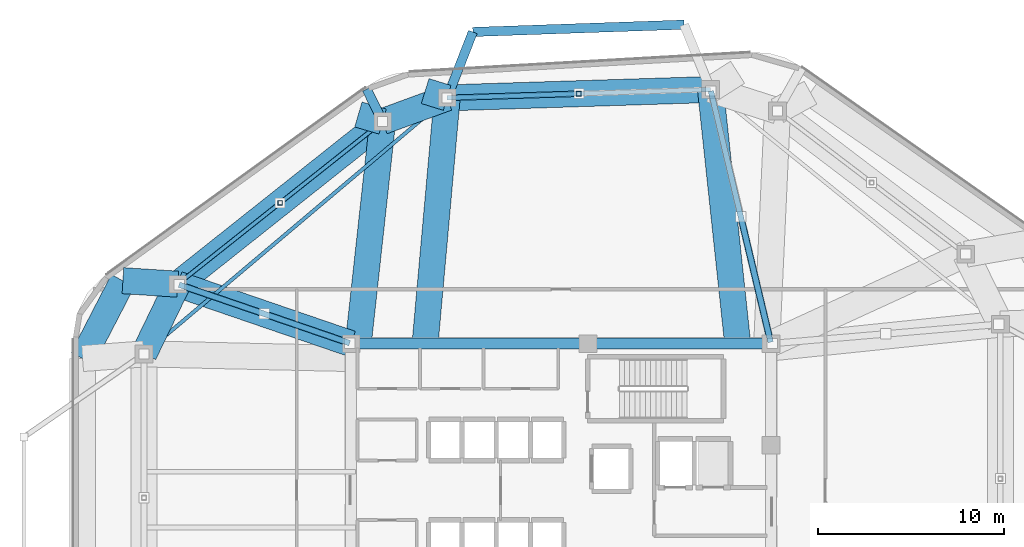
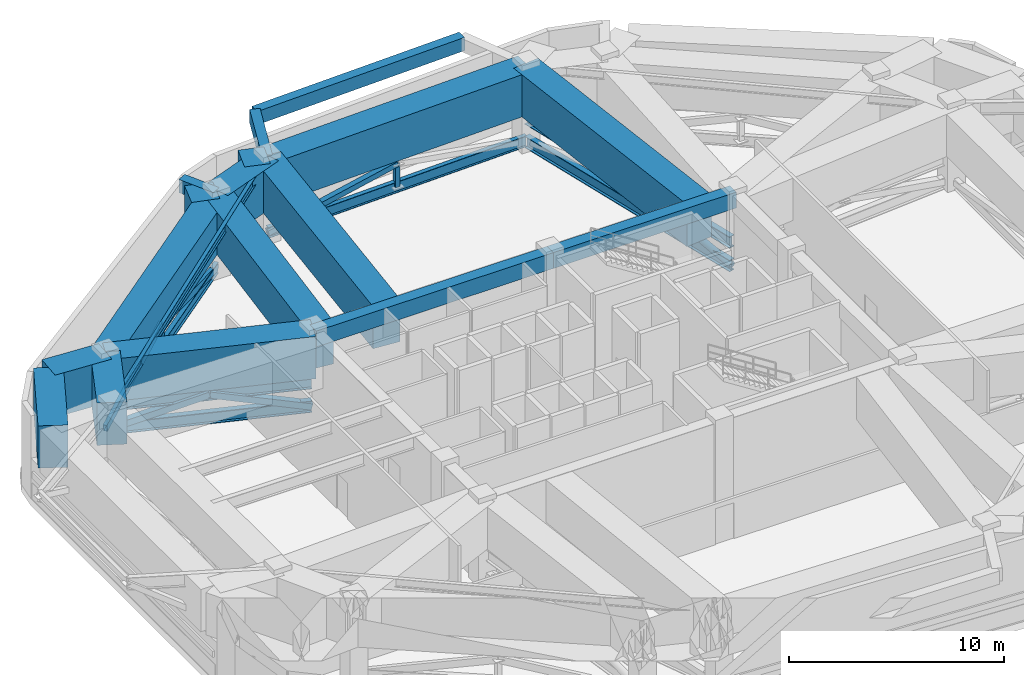
# One storey, part 5 of 13: 18 beams, 14 members.
"""IFC4 building model written with IfcOpenShell, lengths in metres."""

from ifc_helpers import new_model, si_unit, direction, frame, origin, origin_2d, place, context, subcontext, project, spatial, rectangle, hollow_rectangle, hollow_circle, i_section, extrude, material, material_profile, profile_set, type_object, element, save


model = new_model("IFC4")

# Units and contexts
model_context = context("Model", 3, precision=1e-05, world=origin(), true_north=direction((0.0, 1.0)))
body_context = subcontext(model_context, "Body", "Model", "MODEL_VIEW")
ifc_project = project(units=[si_unit("LENGTHUNIT", "METRE"), si_unit("AREAUNIT", "SQUARE_METRE"), si_unit("VOLUMEUNIT", "CUBIC_METRE"), si_unit("PLANEANGLEUNIT", "RADIAN"), si_unit("MASSUNIT", "GRAM", prefix="KILO")], contexts=[model_context])

# Site, building, storey
site_placement = place(None, origin())
site = spatial("IfcSite", under=ifc_project, at=site_placement, CompositionType="ELEMENT")
building_placement = place(site_placement, origin())
building = spatial("IfcBuilding", under=site, at=building_placement, Name="Zulverin Broadcast Headquarters", CompositionType="ELEMENT")
storey_placement = place(building_placement, frame((0.0, 0.0, 220.0)))
storey = spatial("IfcBuildingStorey", under=building, at=storey_placement, Name="L56", CompositionType="ELEMENT", Elevation=220.0)

# Beams
ifc_material_1 = material(Name="Concrete C60/75", Category="concrete")
ifc_material_profile_1 = material_profile(ifc_material_1, rectangle(XDim=0.60009765625, YDim=0.89990234375, at=origin_2d()), Name="Concrete C60/75", Category="concrete")
ifc_profile_set_1 = profile_set([ifc_material_profile_1], Name="Concrete C60/75")
beam_type_1 = type_object("IfcBeamType", Name="BM-CB-600x900", PredefinedType="LINTEL", material=ifc_profile_set_1)
beam_1_placement = place(storey_placement, frame((48.27490234375, 33.074951171875, 4.260009765625), z_axis=(-1.0, 0.0, 0.0), x_axis=(0.0, -1.0, 0.0)))
element("IfcBeam", 1, at=beam_1_placement, inside=storey, type_object=beam_type_1, Name="L56 Core Coupling Girder K05-K06", PredefinedType="LINTEL", context=body_context, shape_type="SweptSolid", body=[
    extrude(rectangle(XDim=0.60009765625, YDim=0.89990234375, at=origin_2d()), origin(), (0.0, 0.0, 1.0), 9.824951171875),
])
beam_2_placement = place(storey_placement, frame((38.449951171875, 33.074951171875, 4.260009765625), z_axis=(-1.0, 0.0, 0.0), x_axis=(0.0, -1.0, 0.0)))
element("IfcBeam", 2, at=beam_2_placement, inside=storey, type_object=beam_type_1, Name="L56 Core Coupling Girder K06-K07", PredefinedType="LINTEL", context=body_context, shape_type="SweptSolid", body=[
    extrude(rectangle(XDim=0.60009765625, YDim=0.89990234375, at=origin_2d()), origin(), (0.0, 0.0, 1.0), 12.724853515625),
])
ifc_material_2 = material(Name="Concrete C40/50", Category="concrete")
ifc_material_profile_2 = material_profile(ifc_material_2, rectangle(XDim=0.5, YDim=0.75, at=origin_2d()), Name="Concrete C40/50", Category="concrete")
ifc_profile_set_2 = profile_set([ifc_material_profile_2], Name="Concrete C40/50")
beam_type_2 = type_object("IfcBeamType", Name="BM-RC-500x750", PredefinedType="BEAM", material=ifc_profile_set_2)
beam_3_placement = place(storey_placement, frame((27.416259765625, 45.00439453125, 4.3349609375), z_axis=(-0.440436509103, 0.897783760963, 0.0), x_axis=(-0.897783760963, -0.440436509103, 0.0)))
element("IfcBeam", 3, at=beam_3_placement, inside=storey, type_object=beam_type_2, Name="L57 Plate Overhang Back-Spanned Beam OVR-11", PredefinedType="BEAM", context=body_context, shape_type="SweptSolid", body=[
    extrude(rectangle(XDim=0.5, YDim=0.75, at=origin_2d()), origin(), (0.0, 0.0, 1.0), 1.9345703125),
])
beam_4_placement = place(storey_placement, frame((30.882080078125, 46.27490234375, 4.3349609375), z_axis=(0.36332352759, 0.931663036886, 0.0), x_axis=(-0.931663036886, 0.36332352759, 0.0)))
element("IfcBeam", 4, at=beam_4_placement, inside=storey, type_object=beam_type_2, Name="L57 Balcony Column-Framed Cantilever BAL_N-2", PredefinedType="BEAM", context=body_context, shape_type="SweptSolid", body=[
    extrude(rectangle(XDim=0.5, YDim=0.75, at=origin_2d()), origin(), (0.0, 0.0, 1.0), 3.800048828125),
])
beam_5_placement = place(storey_placement, frame((43.60791015625, 50.2080078125, 4.3349609375), z_axis=(-0.999401110816, -0.034603752686, 0.0), x_axis=(0.034603752686, -0.999401110816, 0.0)))
element("IfcBeam", 5, at=beam_5_placement, inside=storey, type_object=beam_type_2, Name="L57 Balcony Outer Edge Trimmer Beam BAL_N", PredefinedType="BEAM", context=body_context, shape_type="SweptSolid", body=[
    extrude(rectangle(XDim=0.5, YDim=0.75, at=origin_2d()), origin(), (0.0, 0.0, 1.0), 11.35205078125),
])
ifc_material_profile_3 = material_profile(ifc_material_1, rectangle(XDim=1.39990234375, YDim=2.39990234375, at=origin_2d()), Name="Concrete C60/75", Category="concrete")
ifc_profile_set_3 = profile_set([ifc_material_profile_3], Name="Concrete C60/75")
beam_type_3 = type_object("IfcBeamType", Name="BM-TG-1400x2400", PredefinedType="USERDEFINED", material=ifc_profile_set_3)
beam_6_placement = place(storey_placement, frame((45.027587890625, 46.7236328125, 3.510009765625), z_axis=(-0.999497221833, -0.031706522156, 0.0), x_axis=(0.031706522156, -0.999497221833, 0.0)))
element("IfcBeam", 6, at=beam_6_placement, inside=storey, type_object=beam_type_3, Name="L56 Perimeter Transfer Ring Girder SP-09", ObjectType="TRANSFER GIRDER", PredefinedType="USERDEFINED", context=body_context, shape_type="SweptSolid", body=[
    extrude(rectangle(XDim=1.39990234375, YDim=2.39990234375, at=origin_2d()), origin(), (0.0, 0.0, 1.0), 14.152587890625),
])
beam_7_placement = place(storey_placement, frame((30.882080078125, 46.27490234375, 3.510009765625), z_axis=(-0.938901965426, -0.344184687805, 0.0), x_axis=(0.344184687805, -0.938901965426, 0.0)))
element("IfcBeam", 7, at=beam_7_placement, inside=storey, type_object=beam_type_3, Name="L56 Perimeter Transfer Ring Girder SP-10", ObjectType="TRANSFER GIRDER", PredefinedType="USERDEFINED", context=body_context, shape_type="SweptSolid", body=[
    extrude(rectangle(XDim=1.39990234375, YDim=2.39990234375, at=origin_2d()), origin(), (0.0, 0.0, 1.0), 3.69140625),
])
beam_8_placement = place(storey_placement, frame((27.416259765625, 45.00439453125, 3.510009765625), z_axis=(-0.783283263401, -0.621664965457, 0.0), x_axis=(0.621664965457, -0.783283263401, 0.0)))
element("IfcBeam", 8, at=beam_8_placement, inside=storey, type_object=beam_type_3, Name="L56 Perimeter Transfer Ring Girder SP-11", ObjectType="TRANSFER GIRDER", PredefinedType="USERDEFINED", context=body_context, shape_type="SweptSolid", body=[
    extrude(rectangle(XDim=1.39990234375, YDim=2.39990234375, at=origin_2d()), origin(), (0.0, 0.0, 1.0), 14.05322265625),
])
beam_9_placement = place(storey_placement, frame((16.40869140625, 36.26806640625, 3.510009765625), z_axis=(-0.434890248034, -0.900483465792, 0.0), x_axis=(0.900483465792, -0.434890248034, 0.0)))
element("IfcBeam", 9, at=beam_9_placement, inside=storey, type_object=beam_type_3, Name="L56 Perimeter Transfer Ring Girder SP-12", ObjectType="TRANSFER GIRDER", PredefinedType="USERDEFINED", context=body_context, shape_type="SweptSolid", body=[
    extrude(rectangle(XDim=1.39990234375, YDim=2.39990234375, at=origin_2d()), origin(), (0.0, 0.0, 1.0), 4.15869140625),
])
beam_10_placement = place(storey_placement, frame((46.4814453125, 33.125, 3.510009765625), z_axis=(-0.106306205343, 0.994333440404, 0.0), x_axis=(-0.994333440404, -0.106306205343, 0.0)))
element("IfcBeam", 10, at=beam_10_placement, inside=storey, type_object=beam_type_3, Name="L57 Inner Transfer Back-Span Girder TGI-09", ObjectType="TRANSFER GIRDER", PredefinedType="USERDEFINED", context=body_context, shape_type="SweptSolid", body=[
    extrude(rectangle(XDim=1.39990234375, YDim=2.39990234375, at=origin_2d()), origin(), (0.0, 0.0, 1.0), 13.676025390625),
])
beam_11_placement = place(storey_placement, frame((29.70068359375, 33.125, 3.510009765625), z_axis=(0.089480316195, 0.995988590805, 0.0), x_axis=(-0.995988590805, 0.089480316195, 0.0)))
element("IfcBeam", 11, at=beam_11_placement, inside=storey, type_object=beam_type_3, Name="L57 Inner Transfer Back-Span Girder TGI-10", ObjectType="TRANSFER GIRDER", PredefinedType="USERDEFINED", context=body_context, shape_type="SweptSolid", body=[
    extrude(rectangle(XDim=1.39990234375, YDim=2.39990234375, at=origin_2d()), origin(), (0.0, 0.0, 1.0), 13.202880859375),
])
beam_12_placement = place(storey_placement, frame((30.882080078125, 46.27490234375, 3.510009765625), z_axis=(-0.955162350337, 0.296082563651, 0.0), x_axis=(-0.296082563651, -0.955162350337, 0.0)))
element("IfcBeam", 12, at=beam_12_placement, inside=storey, type_object=beam_type_3, Name="L57 Column-Framed Step Cantilever Girder TGO-10", ObjectType="TRANSFER GIRDER", PredefinedType="USERDEFINED", context=body_context, shape_type="SweptSolid", body=[
    extrude(rectangle(XDim=1.39990234375, YDim=2.39990234375, at=origin_2d()), origin(), (0.0, 0.0, 1.0), 1.23681640625),
])
beam_13_placement = place(storey_placement, frame((26.11474609375, 33.125, 3.510009765625), z_axis=(0.10890891101, 0.994051733615, 0.0), x_axis=(-0.994051733615, 0.10890891101, 0.0)))
element("IfcBeam", 13, at=beam_13_placement, inside=storey, type_object=beam_type_3, Name="L57 Inner Transfer Back-Span Girder TGI-11", ObjectType="TRANSFER GIRDER", PredefinedType="USERDEFINED", context=body_context, shape_type="SweptSolid", body=[
    extrude(rectangle(XDim=1.39990234375, YDim=2.39990234375, at=origin_2d()), origin(), (0.0, 0.0, 1.0), 11.950439453125),
])
beam_14_placement = place(storey_placement, frame((27.416259765625, 45.00439453125, 3.510009765625), z_axis=(-0.960090717842, 0.279688779743, 0.0), x_axis=(-0.279688779743, -0.960090717842, 0.0)))
element("IfcBeam", 14, at=beam_14_placement, inside=storey, type_object=beam_type_3, Name="L57 Column-Framed Step Cantilever Girder TGO-11", ObjectType="TRANSFER GIRDER", PredefinedType="USERDEFINED", context=body_context, shape_type="SweptSolid", body=[
    extrude(rectangle(XDim=1.39990234375, YDim=2.39990234375, at=origin_2d()), origin(), (0.0, 0.0, 1.0), 1.355712890625),
])
beam_15_placement = place(storey_placement, frame((25.72509765625, 33.074951171875, 3.510009765625), z_axis=(-0.945979621685, 0.324226086793, 0.0), x_axis=(-0.324226086793, -0.945979621685, 0.0)))
element("IfcBeam", 15, at=beam_15_placement, inside=storey, type_object=beam_type_3, Name="L57 Inner Transfer Back-Span Girder TGI-12", ObjectType="TRANSFER GIRDER", PredefinedType="USERDEFINED", context=body_context, shape_type="SweptSolid", body=[
    extrude(rectangle(XDim=1.39990234375, YDim=2.39990234375, at=origin_2d()), origin(), (0.0, 0.0, 1.0), 9.848388671875),
])
beam_16_placement = place(storey_placement, frame((16.40869140625, 36.26806640625, 3.510009765625), z_axis=(-0.997926853683, 0.064358330454, 0.0), x_axis=(-0.064358330454, -0.997926853683, 0.0)))
element("IfcBeam", 16, at=beam_16_placement, inside=storey, type_object=beam_type_3, Name="L57 Column-Framed Step Cantilever Girder TGO-12", ObjectType="TRANSFER GIRDER", PredefinedType="USERDEFINED", context=body_context, shape_type="SweptSolid", body=[
    extrude(rectangle(XDim=1.39990234375, YDim=2.39990234375, at=origin_2d()), origin(), (0.0, 0.0, 1.0), 2.947509765625),
])
beam_17_placement = place(storey_placement, frame((13.46728515625, 36.457763671875, 3.510009765625), z_axis=(-0.460082658911, -0.887876087621, 0.0), x_axis=(0.887876087621, -0.460082658911, 0.0)))
element("IfcBeam", 17, at=beam_17_placement, inside=storey, type_object=beam_type_3, Name="L57 Step Transfer Ring Girder TGR-12", ObjectType="TRANSFER GIRDER", PredefinedType="USERDEFINED", context=body_context, shape_type="SweptSolid", body=[
    extrude(rectangle(XDim=1.39990234375, YDim=2.39990234375, at=origin_2d()), origin(), (0.0, 0.0, 1.0), 4.71044921875),
])
ifc_material_3 = material(Name="Structural steel S355JR", Category="steel")
ifc_material_profile_4 = material_profile(ifc_material_3, i_section(OverallWidth=0.19287109375, OverallDepth=0.46728515625, WebThickness=0.011474609375, FlangeThickness=0.01953125, at=origin_2d()), Name="Structural steel S355JR", Category="steel")
ifc_profile_set_4 = profile_set([ifc_material_profile_4], Name="Structural steel S355JR")
beam_type_4 = type_object("IfcBeamType", Name="BM-UB-457", PredefinedType="JOIST", material=ifc_profile_set_4)
beam_18_placement = place(storey_placement, frame((30.882080078125, 46.27490234375, 4.476318359375), z_axis=(-0.763972566446, -0.645248725468, 0.0), x_axis=(0.645248725468, -0.763972566446, 0.0)))
element("IfcBeam", 18, at=beam_18_placement, inside=storey, type_object=beam_type_4, Name="L56 Chordal Floor Joist J-03", PredefinedType="JOIST", context=body_context, shape_type="SweptSolid", body=[
    extrude(i_section(OverallWidth=0.19287109375, OverallDepth=0.46728515625, WebThickness=0.011474609375, FlangeThickness=0.01953125, at=origin_2d()), origin(), (0.0, 0.0, 1.0), 21.312255859375),
])

# Members
ifc_material_profile_5 = material_profile(ifc_material_3, i_section(OverallWidth=0.230224609375, OverallDepth=0.6171875, WebThickness=0.01318359375, FlangeThickness=0.022216796875, at=origin_2d()), Name="Structural steel S355JR", Category="steel")
ifc_profile_set_5 = profile_set([ifc_material_profile_5], Name="Structural steel S355JR")
member_type_1 = type_object("IfcMemberType", Name="MBR-BLT-CHORD", PredefinedType="CHORD", material=ifc_profile_set_5)
member_1_placement = place(storey_placement, frame((45.027587890625, 46.7236328125, 0.35009765625), z_axis=(-0.999497221833, -0.031706522156, 0.0), x_axis=(0.031706522156, -0.999497221833, 0.0)))
element("IfcMember", 19, at=member_1_placement, inside=storey, type_object=member_type_1, Name="L56 Belt Truss Bottom Chord BC-05", PredefinedType="CHORD", context=body_context, shape_type="SweptSolid", body=[
    extrude(i_section(OverallWidth=0.230224609375, OverallDepth=0.6171875, WebThickness=0.01318359375, FlangeThickness=0.022216796875, at=origin_2d()), origin(), (0.0, 0.0, 1.0), 14.152587890625),
])
member_2_placement = place(storey_placement, frame((27.416259765625, 45.00439453125, 0.35009765625), z_axis=(-0.783283263401, -0.621664965457, 0.0), x_axis=(0.621664965457, -0.783283263401, 0.0)))
element("IfcMember", 20, at=member_2_placement, inside=storey, type_object=member_type_1, Name="L56 Belt Truss Bottom Chord BC-06", PredefinedType="CHORD", context=body_context, shape_type="SweptSolid", body=[
    extrude(i_section(OverallWidth=0.230224609375, OverallDepth=0.6171875, WebThickness=0.01318359375, FlangeThickness=0.022216796875, at=origin_2d()), origin(), (0.0, 0.0, 1.0), 14.05322265625),
])
ifc_material_profile_6 = material_profile(ifc_material_3, hollow_rectangle(XDim=0.300048828125, YDim=0.300048828125, WallThickness=0.01611328125, at=origin_2d()), Name="Structural steel S355JR", Category="steel")
ifc_profile_set_6 = profile_set([ifc_material_profile_6], Name="Structural steel S355JR")
member_type_2 = type_object("IfcMemberType", Name="MBR-BLT-DIAG1", PredefinedType="BRACE", material=ifc_profile_set_6)
member_3_placement = place(storey_placement, frame((30.882080078125, 46.27490234375, 0.35009765625), z_axis=(0.982301862555, 0.031161042861, 0.184694450995), x_axis=(-0.031706522156, 0.999497221833, 0.0)))
element("IfcMember", 21, at=member_3_placement, inside=storey, type_object=member_type_2, Name="L56 Belt Truss Diagonal Brace BD-05B", PredefinedType="BRACE", context=body_context, shape_type="SweptSolid", body=[
    extrude(hollow_rectangle(XDim=0.300048828125, YDim=0.300048828125, WallThickness=0.01611328125, at=origin_2d()), origin(), (0.0, 0.0, 1.0), 7.2001953125),
])
ifc_material_profile_7 = material_profile(ifc_material_3, hollow_rectangle(XDim=0.199951171875, YDim=0.39990234375, WallThickness=0.01611328125, at=origin_2d()), Name="Structural steel S355JR", Category="steel")
ifc_profile_set_7 = profile_set([ifc_material_profile_7], Name="Structural steel S355JR")
member_type_3 = type_object("IfcMemberType", Name="MBR-BLT-DIAG2", PredefinedType="BRACE", material=ifc_profile_set_7)
member_4_placement = place(storey_placement, frame((27.416259765625, 45.00439453125, 0.35009765625), z_axis=(-0.769614156042, -0.610829813241, 0.185959646363), x_axis=(0.621673424997, -0.78327654928, 0.0)))
element("IfcMember", 22, at=member_4_placement, inside=storey, type_object=member_type_3, Name="L56 Belt Truss Diagonal Brace BD-06A", PredefinedType="BRACE", context=body_context, shape_type="SweptSolid", body=[
    extrude(hollow_rectangle(XDim=0.199951171875, YDim=0.39990234375, WallThickness=0.01611328125, at=origin_2d()), origin(), (0.0, 0.0, 1.0), 7.151123046875),
])
member_5_placement = place(storey_placement, frame((16.40869140625, 36.26806640625, 0.35009765625), z_axis=(0.769628074098, 0.610813764273, 0.185954760451), x_axis=(-0.621656506073, 0.783289977248, 0.0)))
element("IfcMember", 23, at=member_5_placement, inside=storey, type_object=member_type_3, Name="L56 Belt Truss Diagonal Brace BD-06B", PredefinedType="BRACE", context=body_context, shape_type="SweptSolid", body=[
    extrude(hollow_rectangle(XDim=0.199951171875, YDim=0.39990234375, WallThickness=0.01611328125, at=origin_2d()), origin(), (0.0, 0.0, 1.0), 7.1513671875),
])
ifc_material_profile_8 = material_profile(ifc_material_3, hollow_rectangle(XDim=0.25, YDim=0.25, WallThickness=0.01611328125, at=origin_2d()), Name="Structural steel S355JR", Category="steel")
ifc_profile_set_8 = profile_set([ifc_material_profile_8], Name="Structural steel S355JR")
member_type_4 = type_object("IfcMemberType", Name="MBR-BLT-POST", PredefinedType="POST", material=ifc_profile_set_8)
for number, where, z_axis, x_axis, name in (
    (24, (37.954833984375, 46.499267578125, 0.35009765625), (0.0, 0.0, 1.0), (1.0, 0.0, 0.0), "L56 Belt Truss King Post BP-05"),
    (25, (21.91259765625, 40.63623046875, 0.35009765625), (0.0, 0.0, 1.0), (1.0, 0.0, 0.0), "L56 Belt Truss King Post BP-06"),
):
    element("IfcMember", number, at=place(storey_placement, frame(where, z_axis=z_axis, x_axis=x_axis)), inside=storey, type_object=member_type_4, Name=name, PredefinedType="POST", context=body_context, shape_type="SweptSolid", body=[
        extrude(hollow_rectangle(XDim=0.25, YDim=0.25, WallThickness=0.01611328125, at=origin_2d()), origin(), (0.0, 0.0, 1.0), 1.329833984375),
    ])
ifc_material_4 = material(Name="Structural steel S460M", Category="steel")
ifc_material_profile_9 = material_profile(ifc_material_4, i_section(OverallWidth=0.300048828125, OverallDepth=0.64990234375, WebThickness=0.01611328125, FlangeThickness=0.031005859375, at=origin_2d()), Name="Structural steel S460M", Category="steel")
ifc_profile_set_9 = profile_set([ifc_material_profile_9], Name="Structural steel S460M")
member_type_5 = type_object("IfcMemberType", Name="MBR-OUT-CHORD", PredefinedType="CHORD", material=ifc_profile_set_9)
for number, where, z_axis, x_axis, name in (
    (26, (48.256591796875, 33.15283203125, 0.35009765625), (-0.231490432964, 0.972837180337, 0.0), (-0.972837180337, -0.231490432964, 0.0), "L56 Outrigger Truss Bottom Chord OC-04"),
    (27, (48.256591796875, 33.15283203125, 1.679931640625), (-0.231490432964, 0.972837180337, 0.0), (-0.972837180337, -0.231490432964, 0.0), "L56 Outrigger Truss Upper Chord OTC-04"),
):
    element("IfcMember", number, at=place(storey_placement, frame(where, z_axis=z_axis, x_axis=x_axis)), inside=storey, type_object=member_type_5, Name=name, PredefinedType="CHORD", context=body_context, shape_type="SweptSolid", body=[
        extrude(i_section(OverallWidth=0.300048828125, OverallDepth=0.64990234375, WebThickness=0.01611328125, FlangeThickness=0.031005859375, at=origin_2d()), origin(), (0.0, 0.0, 1.0), 13.86962890625),
    ])
for number, where, z_axis, x_axis, name in (
    (28, (25.6494140625, 33.100830078125, 0.35009765625), (-0.945973111961, 0.324245079294, 0.0), (-0.324245079294, -0.945973111961, 0.0), "L56 Outrigger Truss Bottom Chord OC-05"),
    (29, (25.6494140625, 33.100830078125, 1.679931640625), (-0.945973111961, 0.324245079294, 0.0), (-0.324245079294, -0.945973111961, 0.0), "L56 Outrigger Truss Upper Chord OTC-05"),
):
    element("IfcMember", number, at=place(storey_placement, frame(where, z_axis=z_axis, x_axis=x_axis)), inside=storey, type_object=member_type_5, Name=name, PredefinedType="CHORD", context=body_context, shape_type="SweptSolid", body=[
        extrude(i_section(OverallWidth=0.300048828125, OverallDepth=0.64990234375, WebThickness=0.01611328125, FlangeThickness=0.031005859375, at=origin_2d()), origin(), (0.0, 0.0, 1.0), 9.688232421875),
    ])
ifc_material_profile_10 = material_profile(ifc_material_4, hollow_rectangle(XDim=0.35009765625, YDim=0.35009765625, WallThickness=0.02001953125, at=origin_2d()), Name="Structural steel S460M", Category="steel")
ifc_profile_set_10 = profile_set([ifc_material_profile_10], Name="Structural steel S460M")
member_type_6 = type_object("IfcMemberType", Name="MBR-OUT-DIAG1", PredefinedType="BRACE", material=ifc_profile_set_10)
member_6_placement = place(storey_placement, frame((25.6494140625, 33.100830078125, 0.35009765625), z_axis=(-0.912233847701, 0.312647860536, 0.264727638169), x_axis=(-0.324214799787, -0.94598349013, 0.0)))
element("IfcMember", 30, at=member_6_placement, inside=storey, type_object=member_type_6, Name="L56 Outrigger Truss Diagonal Brace OD-05A", PredefinedType="BRACE", context=body_context, shape_type="SweptSolid", body=[
    extrude(hollow_rectangle(XDim=0.35009765625, YDim=0.35009765625, WallThickness=0.02001953125, at=origin_2d()), origin(), (0.0, 0.0, 1.0), 5.0234375),
])
member_7_placement = place(storey_placement, frame((16.484619140625, 36.2421875, 0.35009765625), z_axis=(0.91221182739, -0.312705572882, 0.264735352112), x_axis=(0.324275359417, 0.945962732498, 0.0)))
element("IfcMember", 31, at=member_7_placement, inside=storey, type_object=member_type_6, Name="L56 Outrigger Truss Diagonal Brace OD-05B", PredefinedType="BRACE", context=body_context, shape_type="SweptSolid", body=[
    extrude(hollow_rectangle(XDim=0.35009765625, YDim=0.35009765625, WallThickness=0.02001953125, at=origin_2d()), origin(), (0.0, 0.0, 1.0), 5.023193359375),
])
ifc_material_profile_11 = material_profile(ifc_material_4, hollow_circle(Radius=0.177734375, WallThickness=0.01611328125, at=origin_2d()), Name="Structural steel S460M", Category="steel")
ifc_profile_set_11 = profile_set([ifc_material_profile_11], Name="Structural steel S460M")
member_type_7 = type_object("IfcMemberType", Name="MBR-OUT-DIAG2", PredefinedType="BRACE", material=ifc_profile_set_11)
member_8_placement = place(storey_placement, frame((48.256591796875, 33.15283203125, 0.35009765625), z_axis=(-0.227327941365, 0.955434270977, 0.188327801766), x_axis=(-0.97284208746, -0.231469809838, 0.0)))
element("IfcMember", 32, at=member_8_placement, inside=storey, type_object=member_type_7, Name="L56 Outrigger Truss Diagonal Brace OD-04A", PredefinedType="BRACE", context=body_context, shape_type="SweptSolid", body=[
    extrude(hollow_circle(Radius=0.177734375, WallThickness=0.01611328125, at=origin_2d()), origin(), (0.0, 0.0, 1.0), 7.061279296875),
])

save(model, "model.ifc")
